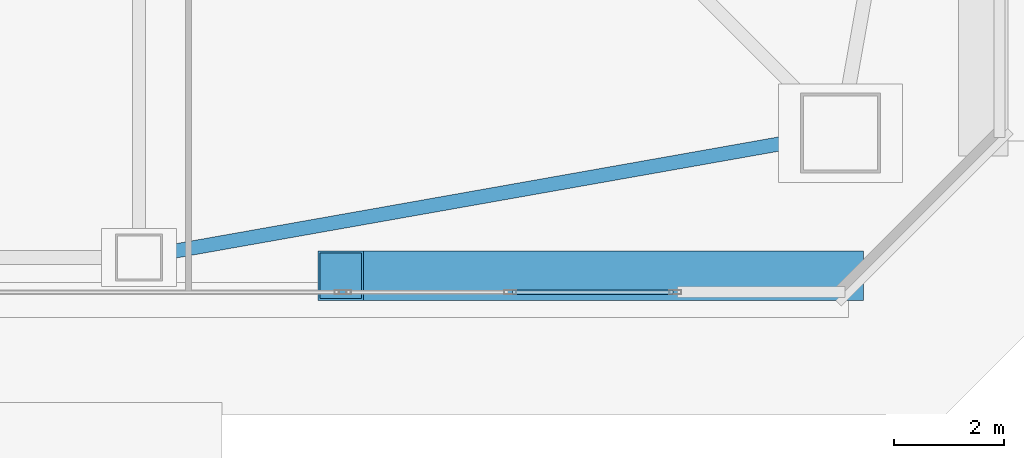
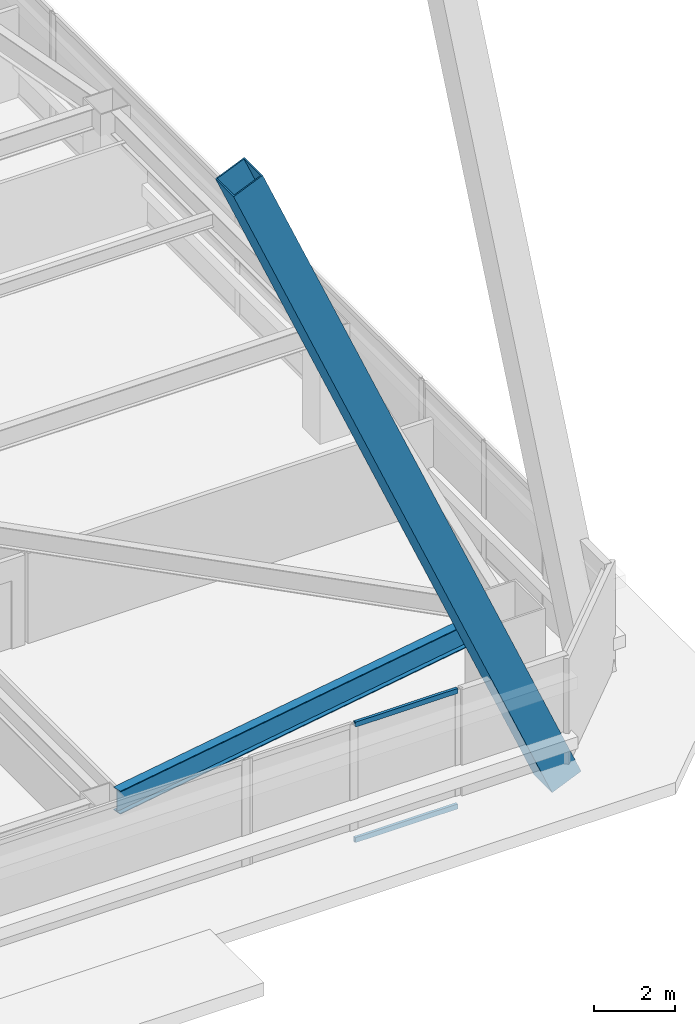
# One storey, part 13 of 67: 3 members, 1 beam, 1 element without a shape of its own.
"""IFC4 building model written with IfcOpenShell, lengths in metres."""

from ifc_helpers import new_model, si_unit, direction, frame, origin, origin_2d, place, context, subcontext, project, spatial, hollow_rectangle, i_section, extrude, material, material_profile, profile_set, type_object, element, aggregate, save


model = new_model("IFC4")

# Units and contexts
model_context = context("Model", 3, precision=1e-05, world=origin(), true_north=direction((0.0, 1.0)))
body_context = subcontext(model_context, "Body", "Model", "MODEL_VIEW")
ifc_project = project(units=[si_unit("LENGTHUNIT", "METRE"), si_unit("AREAUNIT", "SQUARE_METRE"), si_unit("VOLUMEUNIT", "CUBIC_METRE"), si_unit("PLANEANGLEUNIT", "RADIAN"), si_unit("MASSUNIT", "GRAM", prefix="KILO")], contexts=[model_context])

# Site, building, storey
site_placement = place(None, origin())
site = spatial("IfcSite", under=ifc_project, at=site_placement, CompositionType="ELEMENT")
building_placement = place(site_placement, origin())
building = spatial("IfcBuilding", under=site, at=building_placement, Name="Tashvorn Skyway Center", CompositionType="ELEMENT")
storey_placement = place(building_placement, frame((0.0, 0.0, 67.199951171875)))
storey = spatial("IfcBuildingStorey", under=building, at=storey_placement, Name="L17", CompositionType="ELEMENT", Elevation=67.199951171875)

# Beam
ifc_material_1 = material(Name="Steel ASTM A992 Grade 50", Category="steel")
ifc_material_profile_1 = material_profile(ifc_material_1, i_section(OverallWidth=0.256103515625, OverallDepth=0.693115234375, WebThickness=0.014404296875, FlangeThickness=0.023681640625, at=origin_2d()), Name="W27X114")
ifc_profile_set_1 = profile_set([ifc_material_profile_1], Name="Steel ASTM A992 Grade 50")
beam_type = type_object("IfcBeamType", Name="BM-SPANDREL-W27X114", PredefinedType="SPANDREL", material=ifc_profile_set_1)
beam_placement = place(storey_placement, frame((47.8134765625, 11.723388671875, 3.003662109375), z_axis=(0.98466816531, 0.174437966698, 0.0), x_axis=(-0.174437966698, 0.98466816531, 0.0)))
element("IfcBeam", 1, at=beam_placement, inside=storey, type_object=beam_type, Name="Tower 1 L17 Spandrel Beam 03", PredefinedType="SPANDREL", context=body_context, shape_type="SweptSolid", body=[
    extrude(i_section(OverallWidth=0.256103515625, OverallDepth=0.693115234375, WebThickness=0.014404296875, FlangeThickness=0.023681640625, at=origin_2d()), origin(), (0.0, 0.0, 1.0), 11.7578125),
])

# Curtain wall, members
ifc_material_2 = material(Name="Thermally broken bronze-anodized aluminium 6063-T6", Category="aluminium")
curtain_wall_type = type_object("IfcCurtainWallType", Name="CW-CW-Z2", PredefinedType="NOTDEFINED", material=ifc_material_2)
curtain_wall_placement = place(storey_placement, origin())
curtain_wall = element("IfcCurtainWall", 2, at=curtain_wall_placement, inside=storey, type_object=curtain_wall_type, Name="Tower 1 L17 South Unitised Curtain Wall Glazing Group 1", PredefinedType="NOTDEFINED")
ifc_material_profile_2 = material_profile(ifc_material_2, hollow_rectangle(XDim=0.080078125, YDim=0.14990234375, WallThickness=0.00439453125, at=origin_2d()), Name="ALU-TRAN-80x150")
ifc_profile_set_2 = profile_set([ifc_material_profile_2], Name="Thermally broken bronze-anodized aluminium 6063-T6")
member_type_1 = type_object("IfcMemberType", Name="CWT-CW-Z2", PredefinedType="USERDEFINED", material=ifc_profile_set_2)
member_1_placement = place(storey_placement, frame((57.070068359375, 11.02001953125, 0.0400390625), z_axis=(-1.0, 0.0, 0.0), x_axis=(0.0, -1.0, 0.0)))
member_1 = element("IfcMember", 3, at=member_1_placement, type_object=member_type_1, Name="CW-Z2 transom 1.1", ObjectType="TRANSOM", PredefinedType="USERDEFINED", context=body_context, shape_type="SweptSolid", body=[
    extrude(hollow_rectangle(XDim=0.080078125, YDim=0.14990234375, WallThickness=0.00439453125, at=origin_2d()), origin(), (0.0, 0.0, 1.0), 2.91015625),
])
member_2_placement = place(storey_placement, frame((57.070068359375, 11.02001953125, 3.510009765625), z_axis=(-1.0, 0.0, 0.0), x_axis=(0.0, -1.0, 0.0)))
member_2 = element("IfcMember", 4, at=member_2_placement, type_object=member_type_1, Name="CW-Z2 transom 1.2", ObjectType="TRANSOM", PredefinedType="USERDEFINED", context=body_context, shape_type="SweptSolid", body=[
    extrude(hollow_rectangle(XDim=0.080078125, YDim=0.14990234375, WallThickness=0.00439453125, at=origin_2d()), origin(), (0.0, 0.0, 1.0), 2.91015625),
])
aggregate(curtain_wall, [member_1, member_2])

# Member
ifc_material_3 = material(Name="Steel ASTM A572 Grade 50", Category="steel")
ifc_material_profile_3 = material_profile(ifc_material_3, hollow_rectangle(XDim=0.89990234375, YDim=0.89990234375, WallThickness=0.0400390625, at=origin_2d()), Name="BOX900x900x40")
ifc_profile_set_3 = profile_set([ifc_material_profile_3], Name="Steel ASTM A572 Grade 50")
member_type_2 = type_object("IfcMemberType", Name="MEM-MB-900", PredefinedType="BRACE", material=ifc_profile_set_3)
member_3_placement = place(storey_placement, frame((60.10009765625, 11.320068359375, -0.219970703125), z_axis=(-0.394656720236, 0.0, 0.918828641898), x_axis=(0.0, -1.0, 0.0)))
element("IfcMember", 5, at=member_3_placement, inside=storey, type_object=member_type_2, Name="Tower 1 Zone 2 S Chevron Mega-Brace R1", PredefinedType="BRACE", context=body_context, shape_type="SweptSolid", body=[
    extrude(hollow_rectangle(XDim=0.89990234375, YDim=0.89990234375, WallThickness=0.0400390625, at=origin_2d()), origin(), (0.0, 0.0, 1.0), 22.931396484375),
])

save(model, "model.ifc")
